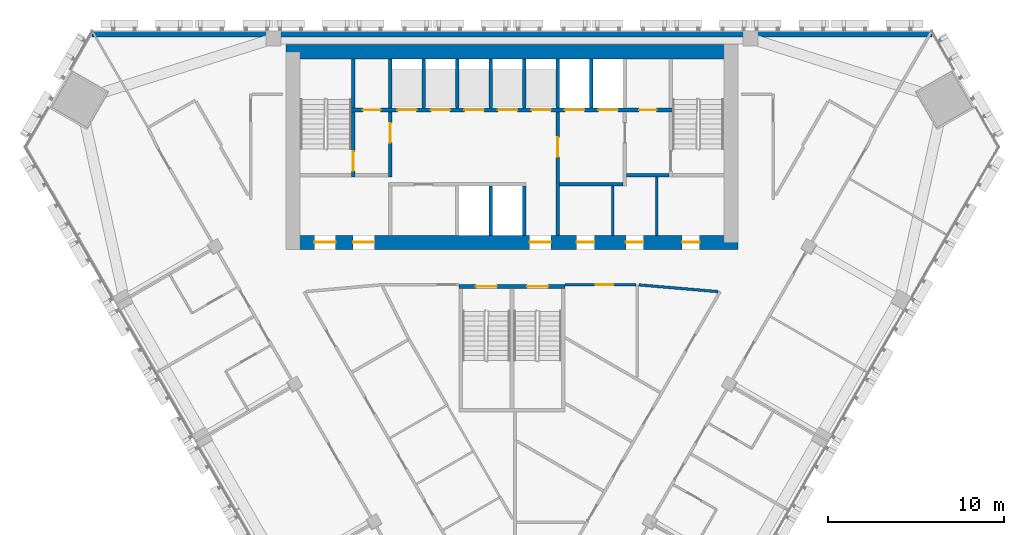
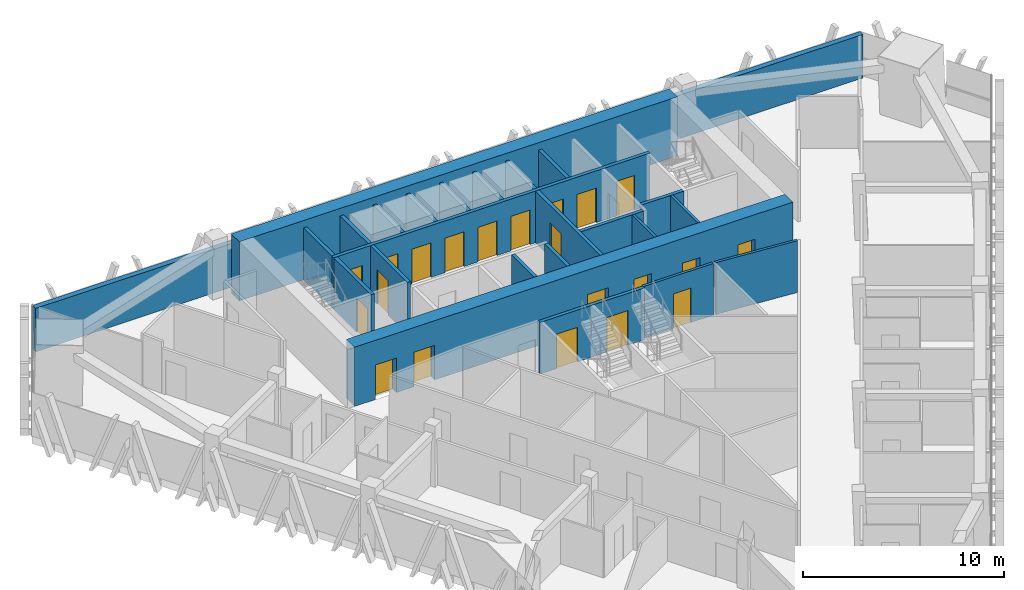
# One storey, part 11 of 16: 24 walls, 21 doors, 21 openings.
"""IFC4 building model written with IfcOpenShell, lengths in metres."""

from ifc_helpers import new_model, si_unit, direction, frame, frame_2d, origin, place, context, subcontext, project, spatial, rectangle, extrude, material, layer, layer_set, type_object, element, fill, save


model = new_model("IFC4")

# Units and contexts
model_context = context("Model", 3, precision=1e-05, world=origin(), true_north=direction((0.0, 1.0)))
body_context = subcontext(model_context, "Body", "Model", "MODEL_VIEW")
ifc_project = project(units=[si_unit("LENGTHUNIT", "METRE"), si_unit("AREAUNIT", "SQUARE_METRE"), si_unit("VOLUMEUNIT", "CUBIC_METRE"), si_unit("PLANEANGLEUNIT", "RADIAN"), si_unit("MASSUNIT", "GRAM", prefix="KILO")], contexts=[model_context])

# Site, building, storey
site_placement = place(None, origin())
site = spatial("IfcSite", under=ifc_project, at=site_placement, CompositionType="ELEMENT")
building_placement = place(site_placement, origin())
building = spatial("IfcBuilding", under=site, at=building_placement, Name="Altiplano Prism Tower", CompositionType="ELEMENT")
storey_placement = place(building_placement, frame((0.0, 0.0, 138.60009765625)))
storey = spatial("IfcBuildingStorey", under=building, at=storey_placement, Name="L35", CompositionType="ELEMENT", Elevation=138.60009765625)

# Wall, openings, doors
ifc_material_1 = material(Name="Concrete C60/75", Category="concrete")
ifc_layer_1 = layer(ifc_material_1, 0.800048828125)
ifc_layer_set_1 = layer_set([ifc_layer_1], Name="Concrete C60/75")
wall_type_1 = type_object("IfcWallType", Name="Core wall 800", PredefinedType="SHEAR", material=ifc_layer_set_1)
wall_1_placement = place(storey_placement, frame((72.60009765625, 93.0, 0.0), z_axis=(0.0, 0.0, 1.0), x_axis=(1.0, 0.0, 0.0)))
wall_1 = element("IfcWall", 1, at=wall_1_placement, inside=storey, type_object=wall_type_1, Name="Core wall S L35", PredefinedType="SHEAR", context=body_context, shape_type="SweptSolid", body=[
    extrude(rectangle(XDim=25.199951171875, YDim=0.800048828125, at=frame_2d((12.60009765625, 0.0))), origin(), (0.0, 0.0, 1.0), 3.599853515625),
])
opening_1_placement = place(wall_1_placement, frame((1.199951171875, 0.0, 0.0)))
opening_1 = element("IfcOpeningElement", 2, at=opening_1_placement, cuts=wall_1, Name="Opening D3058", PredefinedType="OPENING", context=body_context, shape_type="SweptSolid", body=[
    extrude(rectangle(XDim=1.199951171875, YDim=2.10009765625, at=frame_2d((0.60009765625, 1.050048828125))), frame((0.0, 0.41064453125, 0.0), z_axis=(0.0, -1.0, 0.0), x_axis=(1.0, 0.0, 0.0)), (0.0, 0.0, 1.0), 0.821044921875),
])
opening_2_placement = place(wall_1_placement, frame((3.39990234375, 0.0, 0.0)))
opening_2 = element("IfcOpeningElement", 3, at=opening_2_placement, cuts=wall_1, Name="Opening D3059", PredefinedType="OPENING", context=body_context, shape_type="SweptSolid", body=[
    extrude(rectangle(XDim=1.199951171875, YDim=2.10009765625, at=frame_2d((0.60009765625, 1.050048828125))), frame((0.0, 0.41064453125, 0.0), z_axis=(0.0, -1.0, 0.0), x_axis=(1.0, 0.0, 0.0)), (0.0, 0.0, 1.0), 0.821044921875),
])
opening_3_placement = place(wall_1_placement, frame((13.39990234375, 0.0, 0.0)))
opening_3 = element("IfcOpeningElement", 4, at=opening_3_placement, cuts=wall_1, Name="Opening D3060", PredefinedType="OPENING", context=body_context, shape_type="SweptSolid", body=[
    extrude(rectangle(XDim=1.199951171875, YDim=2.10009765625, at=frame_2d((0.60009765625, 1.050048828125))), frame((0.0, 0.41064453125, 0.0), z_axis=(0.0, -1.0, 0.0), x_axis=(1.0, 0.0, 0.0)), (0.0, 0.0, 1.0), 0.821044921875),
])
opening_4_placement = place(wall_1_placement, frame((16.0625, 0.0, 0.0)))
opening_4 = element("IfcOpeningElement", 5, at=opening_4_placement, cuts=wall_1, Name="Opening D3063", PredefinedType="OPENING", context=body_context, shape_type="SweptSolid", body=[
    extrude(rectangle(XDim=1.0, YDim=2.10009765625, at=frame_2d((0.5, 1.050048828125))), frame((0.0, 0.41064453125, 0.0), z_axis=(0.0, -1.0, 0.0), x_axis=(1.0, 0.0, 0.0)), (0.0, 0.0, 1.0), 0.821044921875),
])
opening_5_placement = place(wall_1_placement, frame((18.85009765625, 0.0, 0.0)))
opening_5 = element("IfcOpeningElement", 6, at=opening_5_placement, cuts=wall_1, Name="Opening D3064", PredefinedType="OPENING", context=body_context, shape_type="SweptSolid", body=[
    extrude(rectangle(XDim=1.0, YDim=2.10009765625, at=frame_2d((0.5, 1.050048828125))), frame((0.0, 0.41064453125, 0.0), z_axis=(0.0, -1.0, 0.0), x_axis=(1.0, 0.0, 0.0)), (0.0, 0.0, 1.0), 0.821044921875),
])
opening_6_placement = place(wall_1_placement, frame((22.03759765625, 0.0, 0.0)))
opening_6 = element("IfcOpeningElement", 7, at=opening_6_placement, cuts=wall_1, Name="Opening D3065", PredefinedType="OPENING", context=body_context, shape_type="SweptSolid", body=[
    extrude(rectangle(XDim=1.0, YDim=2.10009765625, at=frame_2d((0.5, 1.050048828125))), frame((0.0, 0.41064453125, 0.0), z_axis=(0.0, -1.0, 0.0), x_axis=(1.0, 0.0, 0.0)), (0.0, 0.0, 1.0), 0.821044921875),
])
ifc_material_2 = material(Name="Fire-rated steel door", Category="steel")
door_type_1 = type_object("IfcDoorType", Name="Core room door 1000 x 2100", OperationType="NOTDEFINED", PredefinedType="NOTDEFINED", material=ifc_material_2)
door_1_placement = place(opening_4_placement, origin())
door_1 = element("IfcDoor", 8, at=door_1_placement, inside=storey, type_object=door_type_1, Name="Core room door D3063", OperationType="SINGLE_SWING_RIGHT", OverallHeight=2.10009765625, OverallWidth=1.0, PredefinedType="NOTDEFINED", context=body_context, shape_type="SweptSolid", body=[
    extrude(rectangle(XDim=1.0, YDim=2.10009765625, at=frame_2d((0.5, 1.050048828125))), frame((0.0, 0.02490234375, 0.0), z_axis=(0.0, -1.0, 0.0), x_axis=(1.0, 0.0, 0.0)), (0.0, 0.0, 1.0), 0.050048828125),
])
fill(opening_4, door_1)
door_2_placement = place(opening_5_placement, origin())
door_2 = element("IfcDoor", 9, at=door_2_placement, inside=storey, type_object=door_type_1, Name="Core room door D3064", OperationType="SINGLE_SWING_LEFT", OverallHeight=2.10009765625, OverallWidth=1.0, PredefinedType="NOTDEFINED", context=body_context, shape_type="SweptSolid", body=[
    extrude(rectangle(XDim=1.0, YDim=2.10009765625, at=frame_2d((0.5, 1.050048828125))), frame((0.0, 0.02490234375, 0.0), z_axis=(0.0, -1.0, 0.0), x_axis=(1.0, 0.0, 0.0)), (0.0, 0.0, 1.0), 0.050048828125),
])
fill(opening_5, door_2)
door_3_placement = place(opening_6_placement, origin())
door_3 = element("IfcDoor", 10, at=door_3_placement, inside=storey, type_object=door_type_1, Name="Core room door D3065", OperationType="SINGLE_SWING_RIGHT", OverallHeight=2.10009765625, OverallWidth=1.0, PredefinedType="NOTDEFINED", context=body_context, shape_type="SweptSolid", body=[
    extrude(rectangle(XDim=1.0, YDim=2.10009765625, at=frame_2d((0.5, 1.050048828125))), frame((0.0, 0.02490234375, 0.0), z_axis=(0.0, -1.0, 0.0), x_axis=(1.0, 0.0, 0.0)), (0.0, 0.0, 1.0), 0.050048828125),
])
fill(opening_6, door_3)
door_type_2 = type_object("IfcDoorType", Name="Lobby fire door 1200 x 2100", OperationType="NOTDEFINED", PredefinedType="NOTDEFINED", material=ifc_material_2)
door_4_placement = place(opening_1_placement, origin())
door_4 = element("IfcDoor", 11, at=door_4_placement, inside=storey, type_object=door_type_2, Name="Lobby fire door D3058", OperationType="SINGLE_SWING_RIGHT", OverallHeight=2.10009765625, OverallWidth=1.199951171875, PredefinedType="NOTDEFINED", context=body_context, shape_type="SweptSolid", body=[
    extrude(rectangle(XDim=1.199951171875, YDim=2.10009765625, at=frame_2d((0.60009765625, 1.050048828125))), frame((0.0, 0.02490234375, 0.0), z_axis=(0.0, -1.0, 0.0), x_axis=(1.0, 0.0, 0.0)), (0.0, 0.0, 1.0), 0.050048828125),
])
fill(opening_1, door_4)
door_5_placement = place(opening_2_placement, origin())
door_5 = element("IfcDoor", 12, at=door_5_placement, inside=storey, type_object=door_type_2, Name="Lobby fire door D3059", OperationType="SINGLE_SWING_LEFT", OverallHeight=2.10009765625, OverallWidth=1.199951171875, PredefinedType="NOTDEFINED", context=body_context, shape_type="SweptSolid", body=[
    extrude(rectangle(XDim=1.199951171875, YDim=2.10009765625, at=frame_2d((0.60009765625, 1.050048828125))), frame((0.0, 0.02490234375, 0.0), z_axis=(0.0, -1.0, 0.0), x_axis=(1.0, 0.0, 0.0)), (0.0, 0.0, 1.0), 0.050048828125),
])
fill(opening_2, door_5)
door_6_placement = place(opening_3_placement, origin())
door_6 = element("IfcDoor", 13, at=door_6_placement, inside=storey, type_object=door_type_2, Name="Lobby fire door D3060", OperationType="SINGLE_SWING_RIGHT", OverallHeight=2.10009765625, OverallWidth=1.199951171875, PredefinedType="NOTDEFINED", context=body_context, shape_type="SweptSolid", body=[
    extrude(rectangle(XDim=1.199951171875, YDim=2.10009765625, at=frame_2d((0.60009765625, 1.050048828125))), frame((0.0, 0.02490234375, 0.0), z_axis=(0.0, -1.0, 0.0), x_axis=(1.0, 0.0, 0.0)), (0.0, 0.0, 1.0), 0.050048828125),
])
fill(opening_3, door_6)

# Walls
wall_2_placement = place(storey_placement, frame((97.39990234375, 103.800048828125, 0.0), z_axis=(0.0, 0.0, 1.0), x_axis=(-1.0, 0.0, 0.0)))
element("IfcWall", 14, at=wall_2_placement, inside=storey, type_object=wall_type_1, Name="Core wall N L35", PredefinedType="SHEAR", context=body_context, shape_type="SweptSolid", body=[
    extrude(rectangle(XDim=25.199951171875, YDim=0.800048828125, at=frame_2d((12.60009765625, 0.0))), origin(), (0.0, 0.0, 1.0), 3.599853515625),
])
ifc_material_3 = material(Name="Plasterboard on steel stud", Category="steel")
ifc_layer_2 = layer(ifc_material_3, 0.14990234375)
ifc_layer_set_2 = layer_set([ifc_layer_2], Name="Plasterboard on steel stud")
wall_type_2 = type_object("IfcWallType", Name="Partition 150 corridor", PredefinedType="PARTITIONING", material=ifc_layer_set_2)
wall_3_placement = place(storey_placement, frame((92.185302734375, 90.592041015625, 0.0), z_axis=(0.0, 0.0, 1.0), x_axis=(0.996384428795, -0.08495922584, 0.0)))
element("IfcWall", 15, at=wall_3_placement, inside=storey, type_object=wall_type_2, Name="Partition P06 L35 018", PredefinedType="PARTITIONING", context=body_context, shape_type="SweptSolid", body=[
    extrude(rectangle(XDim=4.497314453125, YDim=0.14990234375, at=frame_2d((2.24853515625, 0.0))), origin(), (0.0, 0.0, 1.0), 3.14990234375),
])

# Wall, opening, door
wall_4_placement = place(storey_placement, frame((88.0, 90.60009765625, 0.0), z_axis=(0.0, 0.0, 1.0), x_axis=(0.999999970626, -0.000242380166, 0.0)))
wall_4 = element("IfcWall", 16, at=wall_4_placement, inside=storey, type_object=wall_type_2, Name="Partition P06 L35 020", PredefinedType="PARTITIONING", context=body_context, shape_type="SweptSolid", body=[
    extrude(rectangle(XDim=4.029052734375, YDim=0.14990234375, at=frame_2d((2.0146484375, 0.0))), origin(), (0.0, 0.0, 1.0), 3.14990234375),
])
opening_7_placement = place(wall_4_placement, frame((1.74609375, 0.0, 0.0)))
opening_7 = element("IfcOpeningElement", 17, at=opening_7_placement, cuts=wall_4, Name="Opening D1295", PredefinedType="OPENING", context=body_context, shape_type="SweptSolid", body=[
    extrude(rectangle(XDim=1.0, YDim=2.10009765625, at=frame_2d((0.5, 1.050048828125))), frame((0.0, 0.08544921875, 0.0), z_axis=(0.0, -1.0, 0.0), x_axis=(1.0, 0.0, 0.0)), (0.0, 0.0, 1.0), 0.1708984375),
])
ifc_material_4 = material(Name="Timber", Category="wood")
door_type_3 = type_object("IfcDoorType", Name="Room door 1000 x 2100", OperationType="NOTDEFINED", PredefinedType="NOTDEFINED", material=ifc_material_4)
door_7_placement = place(opening_7_placement, origin())
door_7 = element("IfcDoor", 18, at=door_7_placement, inside=storey, type_object=door_type_3, Name="Door D1295", OperationType="SINGLE_SWING_RIGHT", OverallHeight=2.10009765625, OverallWidth=1.0, PredefinedType="NOTDEFINED", context=body_context, shape_type="SweptSolid", body=[
    extrude(rectangle(XDim=1.0, YDim=2.10009765625, at=frame_2d((0.5, 1.050048828125))), frame((0.0, 0.02490234375, 0.0), z_axis=(0.0, -1.0, 0.0), x_axis=(1.0, 0.0, 0.0)), (0.0, 0.0, 1.0), 0.050048828125),
])
fill(opening_7, door_7)

# Walls
ifc_material_5 = material(Name="Fire-rated gypsum board partition")
ifc_layer_3 = layer(ifc_material_5, 0.14990234375)
ifc_layer_set_3 = layer_set([ifc_layer_3], Name="Fire-rated gypsum board partition")
wall_type_3 = type_object("IfcWallType", Name="Room partition 150", PredefinedType="PARTITIONING", material=ifc_layer_set_3)
wall_5_placement = place(storey_placement, frame((90.699951171875, 93.39990234375, 0.0), z_axis=(0.0, 0.0, 1.0), x_axis=(0.0, 1.0, 0.0)))
element("IfcWall", 19, at=wall_5_placement, inside=storey, type_object=wall_type_3, Name="Room partition L35", PredefinedType="PARTITIONING", context=body_context, shape_type="SweptSolid", body=[
    extrude(rectangle(XDim=2.800048828125, YDim=0.14990234375, at=frame_2d((1.39990234375, 0.0))), origin(), (0.0, 0.0, 1.0), 3.14990234375),
])
wall_6_placement = place(storey_placement, frame((93.199951171875, 93.39990234375, 0.0), z_axis=(0.0, 0.0, 1.0), x_axis=(0.0, 1.0, 0.0)))
element("IfcWall", 20, at=wall_6_placement, inside=storey, type_object=wall_type_3, Name="Room partition L35", PredefinedType="PARTITIONING", context=body_context, shape_type="SweptSolid", body=[
    extrude(rectangle(XDim=3.300048828125, YDim=0.14990234375, at=frame_2d((1.64990234375, 0.0))), origin(), (0.0, 0.0, 1.0), 3.14990234375),
])
ifc_layer_4 = layer(ifc_material_1, 0.199951171875)
ifc_layer_set_4 = layer_set([ifc_layer_4], Name="Concrete C60/75")
wall_type_4 = type_object("IfcWallType", Name="Shaft wall 200", PredefinedType="SOLIDWALL", material=ifc_layer_set_4)
for number, where, z_axis, x_axis, name in (
    (21, (83.800048828125, 93.39990234375, 0.0), (0.0, 0.0, 1.0), (0.0, 1.0, 0.0), "Shaft wall L35"),
    (22, (85.699951171875, 93.39990234375, 0.0), (0.0, 0.0, 1.0), (0.0, 1.0, 0.0), "Shaft wall L35"),
):
    element("IfcWall", number, at=place(storey_placement, frame(where, z_axis=z_axis, x_axis=x_axis)), inside=storey, type_object=wall_type_4, Name=name, PredefinedType="SOLIDWALL", context=body_context, shape_type="SweptSolid", body=[
        extrude(rectangle(XDim=2.800048828125, YDim=0.199951171875, at=frame_2d((1.39990234375, 0.0))), origin(), (0.0, 0.0, 1.0), 3.14990234375),
    ])
for number, where, z_axis, x_axis, name in (
    (23, (78.10009765625, 100.60009765625, 0.0), (0.0, 0.0, 1.0), (0.0, 1.0, 0.0), "Shaft wall L35"),
    (24, (80.0, 100.60009765625, 0.0), (0.0, 0.0, 1.0), (0.0, 1.0, 0.0), "Shaft wall L35"),
    (25, (81.89990234375, 100.60009765625, 0.0), (0.0, 0.0, 1.0), (0.0, 1.0, 0.0), "Shaft wall L35"),
    (26, (83.800048828125, 100.60009765625, 0.0), (0.0, 0.0, 1.0), (0.0, 1.0, 0.0), "Shaft wall L35"),
    (27, (85.699951171875, 100.60009765625, 0.0), (0.0, 0.0, 1.0), (0.0, 1.0, 0.0), "Shaft wall L35"),
    (28, (87.60009765625, 100.60009765625, 0.0), (0.0, 0.0, 1.0), (0.0, 1.0, 0.0), "Shaft wall L35"),
    (29, (89.5, 100.60009765625, 0.0), (0.0, 0.0, 1.0), (0.0, 1.0, 0.0), "Shaft wall L35"),
):
    element("IfcWall", number, at=place(storey_placement, frame(where, z_axis=z_axis, x_axis=x_axis)), inside=storey, type_object=wall_type_4, Name=name, PredefinedType="SOLIDWALL", context=body_context, shape_type="SweptSolid", body=[
        extrude(rectangle(XDim=2.7998046875, YDim=0.199951171875, at=frame_2d((1.39990234375, 0.0))), origin(), (0.0, 0.0, 1.0), 3.14990234375),
    ])

# Wall, opening, door
ifc_layer_5 = layer(ifc_material_1, 0.199951171875)
ifc_layer_set_5 = layer_set([ifc_layer_5], Name="Concrete C60/75")
wall_type_5 = type_object("IfcWallType", Name="Stair wall 200", PredefinedType="SOLIDWALL", material=ifc_layer_set_5)
wall_7_placement = place(storey_placement, frame((76.0, 96.699951171875, 0.0), z_axis=(0.0, 0.0, 1.0), x_axis=(0.0, 1.0, 0.0)))
wall_7 = element("IfcWall", 30, at=wall_7_placement, inside=storey, type_object=wall_type_5, Name="Stair wall L35", PredefinedType="SOLIDWALL", context=body_context, shape_type="SweptSolid", body=[
    extrude(rectangle(XDim=3.699951171875, YDim=0.199951171875, at=frame_2d((1.85009765625, 0.0))), origin(), (0.0, 0.0, 1.0), 3.14990234375),
])
opening_8_placement = place(wall_7_placement, frame((0.35009765625, 0.0, 0.0)))
opening_8 = element("IfcOpeningElement", 31, at=opening_8_placement, cuts=wall_7, Name="Opening D3053", PredefinedType="OPENING", context=body_context, shape_type="SweptSolid", body=[
    extrude(rectangle(XDim=1.10009765625, YDim=2.10009765625, at=frame_2d((0.550048828125, 1.050048828125))), frame((0.0, 0.1103515625, 0.0), z_axis=(0.0, -1.0, 0.0), x_axis=(1.0, 0.0, 0.0)), (0.0, 0.0, 1.0), 0.220947265625),
])
door_type_4 = type_object("IfcDoorType", Name="Stair fire door 1100 x 2100", OperationType="NOTDEFINED", PredefinedType="NOTDEFINED", material=ifc_material_2)
door_8_placement = place(opening_8_placement, origin())
door_8 = element("IfcDoor", 32, at=door_8_placement, inside=storey, type_object=door_type_4, Name="Stair fire door D3053", OperationType="SINGLE_SWING_RIGHT", OverallHeight=2.10009765625, OverallWidth=1.10009765625, PredefinedType="NOTDEFINED", context=body_context, shape_type="SweptSolid", body=[
    extrude(rectangle(XDim=1.10009765625, YDim=2.10009765625, at=frame_2d((0.550048828125, 1.050048828125))), frame((0.0, 0.02490234375, 0.0), z_axis=(0.0, -1.0, 0.0), x_axis=(1.0, 0.0, 0.0)), (0.0, 0.0, 1.0), 0.050048828125),
])
fill(opening_8, door_8)

# Wall, openings, doors
wall_8_placement = place(storey_placement, frame((75.89990234375, 100.5, 0.0), z_axis=(0.0, 0.0, 1.0), x_axis=(1.0, 0.0, 0.0)))
wall_8 = element("IfcWall", 33, at=wall_8_placement, inside=storey, type_object=wall_type_5, Name="Stair wall L35", PredefinedType="SOLIDWALL", context=body_context, shape_type="SweptSolid", body=[
    extrude(rectangle(XDim=18.2001953125, YDim=0.199951171875, at=frame_2d((9.10009765625, 0.0))), origin(), (0.0, 0.0, 1.0), 3.14990234375),
])
opening_9_placement = place(wall_8_placement, frame((2.60009765625, 0.0, 0.0)))
opening_9 = element("IfcOpeningElement", 34, at=opening_9_placement, cuts=wall_8, Name="Opening LD-ML1-L35", PredefinedType="OPENING", context=body_context, shape_type="SweptSolid", body=[
    extrude(rectangle(XDim=1.10009765625, YDim=2.10009765625, at=frame_2d((0.550048828125, 1.050048828125))), frame((0.0, 0.1103515625, 0.0), z_axis=(0.0, -1.0, 0.0), x_axis=(1.0, 0.0, 0.0)), (0.0, 0.0, 1.0), 0.220947265625),
])
opening_10_placement = place(wall_8_placement, frame((4.5, 0.0, 0.0)))
opening_10 = element("IfcOpeningElement", 35, at=opening_10_placement, cuts=wall_8, Name="Opening LD-ML2-L35", PredefinedType="OPENING", context=body_context, shape_type="SweptSolid", body=[
    extrude(rectangle(XDim=1.10009765625, YDim=2.10009765625, at=frame_2d((0.550048828125, 1.050048828125))), frame((0.0, 0.1103515625, 0.0), z_axis=(0.0, -1.0, 0.0), x_axis=(1.0, 0.0, 0.0)), (0.0, 0.0, 1.0), 0.220947265625),
])
opening_11_placement = place(wall_8_placement, frame((6.39990234375, 0.0, 0.0)))
opening_11 = element("IfcOpeningElement", 36, at=opening_11_placement, cuts=wall_8, Name="Opening LD-ML3-L35", PredefinedType="OPENING", context=body_context, shape_type="SweptSolid", body=[
    extrude(rectangle(XDim=1.10009765625, YDim=2.10009765625, at=frame_2d((0.550048828125, 1.050048828125))), frame((0.0, 0.1103515625, 0.0), z_axis=(0.0, -1.0, 0.0), x_axis=(1.0, 0.0, 0.0)), (0.0, 0.0, 1.0), 0.220947265625),
])
opening_12_placement = place(wall_8_placement, frame((8.300048828125, 0.0, 0.0)))
opening_12 = element("IfcOpeningElement", 37, at=opening_12_placement, cuts=wall_8, Name="Opening LD-ML4-L35", PredefinedType="OPENING", context=body_context, shape_type="SweptSolid", body=[
    extrude(rectangle(XDim=1.10009765625, YDim=2.10009765625, at=frame_2d((0.550048828125, 1.050048828125))), frame((0.0, 0.1103515625, 0.0), z_axis=(0.0, -1.0, 0.0), x_axis=(1.0, 0.0, 0.0)), (0.0, 0.0, 1.0), 0.220947265625),
])
opening_13_placement = place(wall_8_placement, frame((10.199951171875, 0.0, 0.0)))
opening_13 = element("IfcOpeningElement", 38, at=opening_13_placement, cuts=wall_8, Name="Opening LD-ML5-L35", PredefinedType="OPENING", context=body_context, shape_type="SweptSolid", body=[
    extrude(rectangle(XDim=1.10009765625, YDim=2.10009765625, at=frame_2d((0.550048828125, 1.050048828125))), frame((0.0, 0.1103515625, 0.0), z_axis=(0.0, -1.0, 0.0), x_axis=(1.0, 0.0, 0.0)), (0.0, 0.0, 1.0), 0.220947265625),
])
opening_14_placement = place(wall_8_placement, frame((12.10009765625, 0.0, 0.0)))
opening_14 = element("IfcOpeningElement", 39, at=opening_14_placement, cuts=wall_8, Name="Opening LD-FF1-L35", PredefinedType="OPENING", context=body_context, shape_type="SweptSolid", body=[
    extrude(rectangle(XDim=1.10009765625, YDim=2.10009765625, at=frame_2d((0.550048828125, 1.050048828125))), frame((0.0, 0.1103515625, 0.0), z_axis=(0.0, -1.0, 0.0), x_axis=(1.0, 0.0, 0.0)), (0.0, 0.0, 1.0), 0.220947265625),
])
opening_15_placement = place(wall_8_placement, frame((14.0, 0.0, 0.0)))
opening_15 = element("IfcOpeningElement", 40, at=opening_15_placement, cuts=wall_8, Name="Opening LD-FF2-L35", PredefinedType="OPENING", context=body_context, shape_type="SweptSolid", body=[
    extrude(rectangle(XDim=1.10009765625, YDim=2.10009765625, at=frame_2d((0.550048828125, 1.050048828125))), frame((0.0, 0.1103515625, 0.0), z_axis=(0.0, -1.0, 0.0), x_axis=(1.0, 0.0, 0.0)), (0.0, 0.0, 1.0), 0.220947265625),
])
opening_16_placement = place(wall_8_placement, frame((0.64990234375, 0.0, 0.0)))
opening_16 = element("IfcOpeningElement", 41, at=opening_16_placement, cuts=wall_8, Name="Opening D3061", PredefinedType="OPENING", context=body_context, shape_type="SweptSolid", body=[
    extrude(rectangle(XDim=1.0, YDim=2.10009765625, at=frame_2d((0.5, 1.050048828125))), frame((0.0, 0.1103515625, 0.0), z_axis=(0.0, -1.0, 0.0), x_axis=(1.0, 0.0, 0.0)), (0.0, 0.0, 1.0), 0.220947265625),
])
opening_17_placement = place(wall_8_placement, frame((16.300048828125, 0.0, 0.0)))
opening_17 = element("IfcOpeningElement", 42, at=opening_17_placement, cuts=wall_8, Name="Opening D3062", PredefinedType="OPENING", context=body_context, shape_type="SweptSolid", body=[
    extrude(rectangle(XDim=1.0, YDim=2.10009765625, at=frame_2d((0.5, 1.050048828125))), frame((0.0, 0.1103515625, 0.0), z_axis=(0.0, -1.0, 0.0), x_axis=(1.0, 0.0, 0.0)), (0.0, 0.0, 1.0), 0.220947265625),
])
door_9_placement = place(opening_16_placement, origin())
door_9 = element("IfcDoor", 43, at=door_9_placement, inside=storey, type_object=door_type_1, Name="Core room door D3061", OperationType="SINGLE_SWING_LEFT", OverallHeight=2.10009765625, OverallWidth=1.0, PredefinedType="NOTDEFINED", context=body_context, shape_type="SweptSolid", body=[
    extrude(rectangle(XDim=1.0, YDim=2.10009765625, at=frame_2d((0.5, 1.050048828125))), frame((0.0, 0.02490234375, 0.0), z_axis=(0.0, -1.0, 0.0), x_axis=(1.0, 0.0, 0.0)), (0.0, 0.0, 1.0), 0.050048828125),
])
fill(opening_16, door_9)
door_10_placement = place(opening_17_placement, origin())
door_10 = element("IfcDoor", 44, at=door_10_placement, inside=storey, type_object=door_type_1, Name="Core room door D3062", OperationType="SINGLE_SWING_RIGHT", OverallHeight=2.10009765625, OverallWidth=1.0, PredefinedType="NOTDEFINED", context=body_context, shape_type="SweptSolid", body=[
    extrude(rectangle(XDim=1.0, YDim=2.10009765625, at=frame_2d((0.5, 1.050048828125))), frame((0.0, 0.02490234375, 0.0), z_axis=(0.0, -1.0, 0.0), x_axis=(1.0, 0.0, 0.0)), (0.0, 0.0, 1.0), 0.050048828125),
])
fill(opening_17, door_10)
ifc_material_6 = material(Name="Stainless steel landing door", Category="steel")
door_type_5 = type_object("IfcDoorType", Name="Landing door 1100 x 2100", OperationType="NOTDEFINED", PredefinedType="NOTDEFINED", material=ifc_material_6)
door_11_placement = place(opening_9_placement, origin())
door_11 = element("IfcDoor", 45, at=door_11_placement, inside=storey, type_object=door_type_5, Name="Landing doors ML1", OperationType="SLIDING_TO_RIGHT", OverallHeight=2.10009765625, OverallWidth=1.10009765625, PredefinedType="NOTDEFINED", context=body_context, shape_type="SweptSolid", body=[
    extrude(rectangle(XDim=1.10009765625, YDim=2.10009765625, at=frame_2d((0.550048828125, 1.050048828125))), frame((0.0, 0.02490234375, 0.0), z_axis=(0.0, -1.0, 0.0), x_axis=(1.0, 0.0, 0.0)), (0.0, 0.0, 1.0), 0.050048828125),
])
fill(opening_9, door_11)
door_12_placement = place(opening_10_placement, origin())
door_12 = element("IfcDoor", 46, at=door_12_placement, inside=storey, type_object=door_type_5, Name="Landing doors ML2", OperationType="SLIDING_TO_LEFT", OverallHeight=2.10009765625, OverallWidth=1.10009765625, PredefinedType="NOTDEFINED", context=body_context, shape_type="SweptSolid", body=[
    extrude(rectangle(XDim=1.10009765625, YDim=2.10009765625, at=frame_2d((0.550048828125, 1.050048828125))), frame((0.0, 0.02490234375, 0.0), z_axis=(0.0, -1.0, 0.0), x_axis=(1.0, 0.0, 0.0)), (0.0, 0.0, 1.0), 0.050048828125),
])
fill(opening_10, door_12)
door_13_placement = place(opening_11_placement, origin())
door_13 = element("IfcDoor", 47, at=door_13_placement, inside=storey, type_object=door_type_5, Name="Landing doors ML3", OperationType="SLIDING_TO_RIGHT", OverallHeight=2.10009765625, OverallWidth=1.10009765625, PredefinedType="NOTDEFINED", context=body_context, shape_type="SweptSolid", body=[
    extrude(rectangle(XDim=1.10009765625, YDim=2.10009765625, at=frame_2d((0.550048828125, 1.050048828125))), frame((0.0, 0.02490234375, 0.0), z_axis=(0.0, -1.0, 0.0), x_axis=(1.0, 0.0, 0.0)), (0.0, 0.0, 1.0), 0.050048828125),
])
fill(opening_11, door_13)
door_14_placement = place(opening_12_placement, origin())
door_14 = element("IfcDoor", 48, at=door_14_placement, inside=storey, type_object=door_type_5, Name="Landing doors ML4", OperationType="SLIDING_TO_LEFT", OverallHeight=2.10009765625, OverallWidth=1.10009765625, PredefinedType="NOTDEFINED", context=body_context, shape_type="SweptSolid", body=[
    extrude(rectangle(XDim=1.10009765625, YDim=2.10009765625, at=frame_2d((0.550048828125, 1.050048828125))), frame((0.0, 0.02490234375, 0.0), z_axis=(0.0, -1.0, 0.0), x_axis=(1.0, 0.0, 0.0)), (0.0, 0.0, 1.0), 0.050048828125),
])
fill(opening_12, door_14)
door_15_placement = place(opening_13_placement, origin())
door_15 = element("IfcDoor", 49, at=door_15_placement, inside=storey, type_object=door_type_5, Name="Landing doors ML5", OperationType="SLIDING_TO_RIGHT", OverallHeight=2.10009765625, OverallWidth=1.10009765625, PredefinedType="NOTDEFINED", context=body_context, shape_type="SweptSolid", body=[
    extrude(rectangle(XDim=1.10009765625, YDim=2.10009765625, at=frame_2d((0.550048828125, 1.050048828125))), frame((0.0, 0.02490234375, 0.0), z_axis=(0.0, -1.0, 0.0), x_axis=(1.0, 0.0, 0.0)), (0.0, 0.0, 1.0), 0.050048828125),
])
fill(opening_13, door_15)
door_16_placement = place(opening_14_placement, origin())
door_16 = element("IfcDoor", 50, at=door_16_placement, inside=storey, type_object=door_type_5, Name="Landing doors FF1", OperationType="SLIDING_TO_RIGHT", OverallHeight=2.10009765625, OverallWidth=1.10009765625, PredefinedType="NOTDEFINED", context=body_context, shape_type="SweptSolid", body=[
    extrude(rectangle(XDim=1.10009765625, YDim=2.10009765625, at=frame_2d((0.550048828125, 1.050048828125))), frame((0.0, 0.02490234375, 0.0), z_axis=(0.0, -1.0, 0.0), x_axis=(1.0, 0.0, 0.0)), (0.0, 0.0, 1.0), 0.050048828125),
])
fill(opening_14, door_16)
door_17_placement = place(opening_15_placement, origin())
door_17 = element("IfcDoor", 51, at=door_17_placement, inside=storey, type_object=door_type_5, Name="Landing doors FF2", OperationType="SLIDING_TO_LEFT", OverallHeight=2.10009765625, OverallWidth=1.10009765625, PredefinedType="NOTDEFINED", context=body_context, shape_type="SweptSolid", body=[
    extrude(rectangle(XDim=1.10009765625, YDim=2.10009765625, at=frame_2d((0.550048828125, 1.050048828125))), frame((0.0, 0.02490234375, 0.0), z_axis=(0.0, -1.0, 0.0), x_axis=(1.0, 0.0, 0.0)), (0.0, 0.0, 1.0), 0.050048828125),
])
fill(opening_15, door_17)

# Wall
wall_9_placement = place(storey_placement, frame((76.0, 100.60009765625, 0.0), z_axis=(0.0, 0.0, 1.0), x_axis=(0.0, 1.0, 0.0)))
element("IfcWall", 52, at=wall_9_placement, inside=storey, type_object=wall_type_5, Name="Stair wall L35", PredefinedType="SOLIDWALL", context=body_context, shape_type="SweptSolid", body=[
    extrude(rectangle(XDim=2.7998046875, YDim=0.199951171875, at=frame_2d((1.39990234375, 0.0))), origin(), (0.0, 0.0, 1.0), 3.14990234375),
])

# Wall, openings, doors
wall_10_placement = place(storey_placement, frame((82.0, 90.5, 0.0), z_axis=(0.0, 0.0, 1.0), x_axis=(1.0, 0.0, 0.0)))
wall_10 = element("IfcWall", 53, at=wall_10_placement, inside=storey, type_object=wall_type_5, Name="Stair 3 wall north L35", PredefinedType="SOLIDWALL", context=body_context, shape_type="SweptSolid", body=[
    extrude(rectangle(XDim=6.0, YDim=0.199951171875, at=frame_2d((3.0, 0.0))), origin(), (0.0, 0.0, 1.0), 3.14990234375),
])
opening_18_placement = place(wall_10_placement, frame((0.949951171875, 0.0, 0.0)))
opening_18 = element("IfcOpeningElement", 54, at=opening_18_placement, cuts=wall_10, Name="Opening D3992", PredefinedType="OPENING", context=body_context, shape_type="SweptSolid", body=[
    extrude(rectangle(XDim=1.199951171875, YDim=2.10009765625, at=frame_2d((0.60009765625, 1.050048828125))), frame((0.0, 0.1103515625, 0.0), z_axis=(0.0, -1.0, 0.0), x_axis=(1.0, 0.0, 0.0)), (0.0, 0.0, 1.0), 0.220947265625),
])
opening_19_placement = place(wall_10_placement, frame((3.85009765625, 0.0, 0.0)))
opening_19 = element("IfcOpeningElement", 55, at=opening_19_placement, cuts=wall_10, Name="Opening D3993", PredefinedType="OPENING", context=body_context, shape_type="SweptSolid", body=[
    extrude(rectangle(XDim=1.199951171875, YDim=2.10009765625, at=frame_2d((0.60009765625, 1.050048828125))), frame((0.0, 0.1103515625, 0.0), z_axis=(0.0, -1.0, 0.0), x_axis=(1.0, 0.0, 0.0)), (0.0, 0.0, 1.0), 0.220947265625),
])
door_type_6 = type_object("IfcDoorType", Name="Stair fire door 1200 x 2100", OperationType="NOTDEFINED", PredefinedType="NOTDEFINED", material=ifc_material_2)
door_18_placement = place(opening_18_placement, origin())
door_18 = element("IfcDoor", 56, at=door_18_placement, inside=storey, type_object=door_type_6, Name="Stair fire door D3992", OperationType="SINGLE_SWING_LEFT", OverallHeight=2.10009765625, OverallWidth=1.199951171875, PredefinedType="NOTDEFINED", context=body_context, shape_type="SweptSolid", body=[
    extrude(rectangle(XDim=1.199951171875, YDim=2.10009765625, at=frame_2d((0.60009765625, 1.050048828125))), frame((0.0, 0.02490234375, 0.0), z_axis=(0.0, -1.0, 0.0), x_axis=(1.0, 0.0, 0.0)), (0.0, 0.0, 1.0), 0.050048828125),
])
fill(opening_18, door_18)
door_19_placement = place(opening_19_placement, origin())
door_19 = element("IfcDoor", 57, at=door_19_placement, inside=storey, type_object=door_type_6, Name="Stair fire door D3993", OperationType="SINGLE_SWING_LEFT", OverallHeight=2.10009765625, OverallWidth=1.199951171875, PredefinedType="NOTDEFINED", context=body_context, shape_type="SweptSolid", body=[
    extrude(rectangle(XDim=1.199951171875, YDim=2.10009765625, at=frame_2d((0.60009765625, 1.050048828125))), frame((0.0, 0.02490234375, 0.0), z_axis=(0.0, -1.0, 0.0), x_axis=(1.0, 0.0, 0.0)), (0.0, 0.0, 1.0), 0.050048828125),
])
fill(opening_19, door_19)

# Wall
ifc_material_7 = material(Name="Concrete C40", Category="concrete")
ifc_layer_6 = layer(ifc_material_7, 0.300048828125)
ifc_layer_set_6 = layer_set([ifc_layer_6], Name="Concrete C40")
wall_type_6 = type_object("IfcWallType", Name="Stone-clad external wall 300", PredefinedType="SOLIDWALL", material=ifc_layer_set_6)
wall_11_placement = place(storey_placement, frame((61.2001953125, 104.7900390625, 0.0), z_axis=(0.0, 0.0, 1.0), x_axis=(1.0, 0.0, 0.0)))
element("IfcWall", 58, at=wall_11_placement, inside=storey, type_object=wall_type_6, Name="External wall north face L35", PredefinedType="SOLIDWALL", context=body_context, shape_type="SweptSolid", body=[
    extrude(rectangle(XDim=47.599609375, YDim=0.300048828125, at=frame_2d((23.7998046875, 0.0))), origin(), (0.0, 0.0, 1.0), 2.64990234375),
])

# Wall, opening, door
ifc_layer_7 = layer(ifc_material_1, 0.199951171875)
ifc_layer_set_7 = layer_set([ifc_layer_7], Name="Concrete C60/75")
wall_type_7 = type_object("IfcWallType", Name="Vestibule wall 200", PredefinedType="PARTITIONING", material=ifc_layer_set_7)
wall_12_placement = place(storey_placement, frame((87.60009765625, 93.39990234375, 0.0), z_axis=(0.0, 0.0, 1.0), x_axis=(0.0, 1.0, 0.0)))
wall_12 = element("IfcWall", 59, at=wall_12_placement, inside=storey, type_object=wall_type_7, Name="Vestibule wall L35", PredefinedType="PARTITIONING", context=body_context, shape_type="SweptSolid", body=[
    extrude(rectangle(XDim=7.0, YDim=0.199951171875, at=frame_2d((3.5, 0.0))), origin(), (0.0, 0.0, 1.0), 3.14990234375),
])
opening_20_placement = place(wall_12_placement, frame((4.449951171875, 0.0, 0.0)))
opening_20 = element("IfcOpeningElement", 60, at=opening_20_placement, cuts=wall_12, Name="Opening D3056", PredefinedType="OPENING", context=body_context, shape_type="SweptSolid", body=[
    extrude(rectangle(XDim=1.10009765625, YDim=2.10009765625, at=frame_2d((0.550048828125, 1.050048828125))), frame((0.0, 0.1103515625, 0.0), z_axis=(0.0, -1.0, 0.0), x_axis=(1.0, 0.0, 0.0)), (0.0, 0.0, 1.0), 0.220947265625),
])
door_type_7 = type_object("IfcDoorType", Name="Vestibule fire door 1100 x 2100", OperationType="NOTDEFINED", PredefinedType="NOTDEFINED", material=ifc_material_2)
door_20_placement = place(opening_20_placement, origin())
door_20 = element("IfcDoor", 61, at=door_20_placement, inside=storey, type_object=door_type_7, Name="Vestibule fire door D3056", OperationType="SINGLE_SWING_RIGHT", OverallHeight=2.10009765625, OverallWidth=1.10009765625, PredefinedType="NOTDEFINED", context=body_context, shape_type="SweptSolid", body=[
    extrude(rectangle(XDim=1.10009765625, YDim=2.10009765625, at=frame_2d((0.550048828125, 1.050048828125))), frame((0.0, 0.02490234375, 0.0), z_axis=(0.0, -1.0, 0.0), x_axis=(1.0, 0.0, 0.0)), (0.0, 0.0, 1.0), 0.050048828125),
])
fill(opening_20, door_20)

# Wall
wall_13_placement = place(storey_placement, frame((87.699951171875, 96.300048828125, 0.0), z_axis=(0.0, 0.0, 1.0), x_axis=(1.0, 0.0, 0.0)))
element("IfcWall", 62, at=wall_13_placement, inside=storey, type_object=wall_type_7, Name="Vestibule wall L35", PredefinedType="PARTITIONING", context=body_context, shape_type="SweptSolid", body=[
    extrude(rectangle(XDim=3.60009765625, YDim=0.199951171875, at=frame_2d((1.800048828125, 0.0))), origin(), (0.0, 0.0, 1.0), 3.14990234375),
])

# Wall, opening, door
wall_14_placement = place(storey_placement, frame((78.10009765625, 96.699951171875, 0.0), z_axis=(0.0, 0.0, 1.0), x_axis=(0.0, 1.0, 0.0)))
wall_14 = element("IfcWall", 63, at=wall_14_placement, inside=storey, type_object=wall_type_7, Name="Vestibule wall L35", PredefinedType="PARTITIONING", context=body_context, shape_type="SweptSolid", body=[
    extrude(rectangle(XDim=3.699951171875, YDim=0.199951171875, at=frame_2d((1.85009765625, 0.0))), origin(), (0.0, 0.0, 1.0), 3.14990234375),
])
opening_21_placement = place(wall_14_placement, frame((1.949951171875, 0.0, 0.0)))
opening_21 = element("IfcOpeningElement", 64, at=opening_21_placement, cuts=wall_14, Name="Opening D3055", PredefinedType="OPENING", context=body_context, shape_type="SweptSolid", body=[
    extrude(rectangle(XDim=1.10009765625, YDim=2.10009765625, at=frame_2d((0.550048828125, 1.050048828125))), frame((0.0, 0.1103515625, 0.0), z_axis=(0.0, -1.0, 0.0), x_axis=(1.0, 0.0, 0.0)), (0.0, 0.0, 1.0), 0.220947265625),
])
door_21_placement = place(opening_21_placement, origin())
door_21 = element("IfcDoor", 65, at=door_21_placement, inside=storey, type_object=door_type_7, Name="Vestibule fire door D3055", OperationType="SINGLE_SWING_LEFT", OverallHeight=2.10009765625, OverallWidth=1.10009765625, PredefinedType="NOTDEFINED", context=body_context, shape_type="SweptSolid", body=[
    extrude(rectangle(XDim=1.10009765625, YDim=2.10009765625, at=frame_2d((0.550048828125, 1.050048828125))), frame((0.0, 0.02490234375, 0.0), z_axis=(0.0, -1.0, 0.0), x_axis=(1.0, 0.0, 0.0)), (0.0, 0.0, 1.0), 0.050048828125),
])
fill(opening_21, door_21)

# Wall
wall_15_placement = place(storey_placement, frame((91.5, 96.800048828125, 0.0), z_axis=(0.0, 0.0, 1.0), x_axis=(1.0, 0.0, 0.0)))
element("IfcWall", 66, at=wall_15_placement, inside=storey, type_object=wall_type_7, Name="Vestibule wall L35", PredefinedType="PARTITIONING", context=body_context, shape_type="SweptSolid", body=[
    extrude(rectangle(XDim=2.39990234375, YDim=0.199951171875, at=frame_2d((1.199951171875, 0.0))), origin(), (0.0, 0.0, 1.0), 3.14990234375),
])

save(model, "model.ifc")
